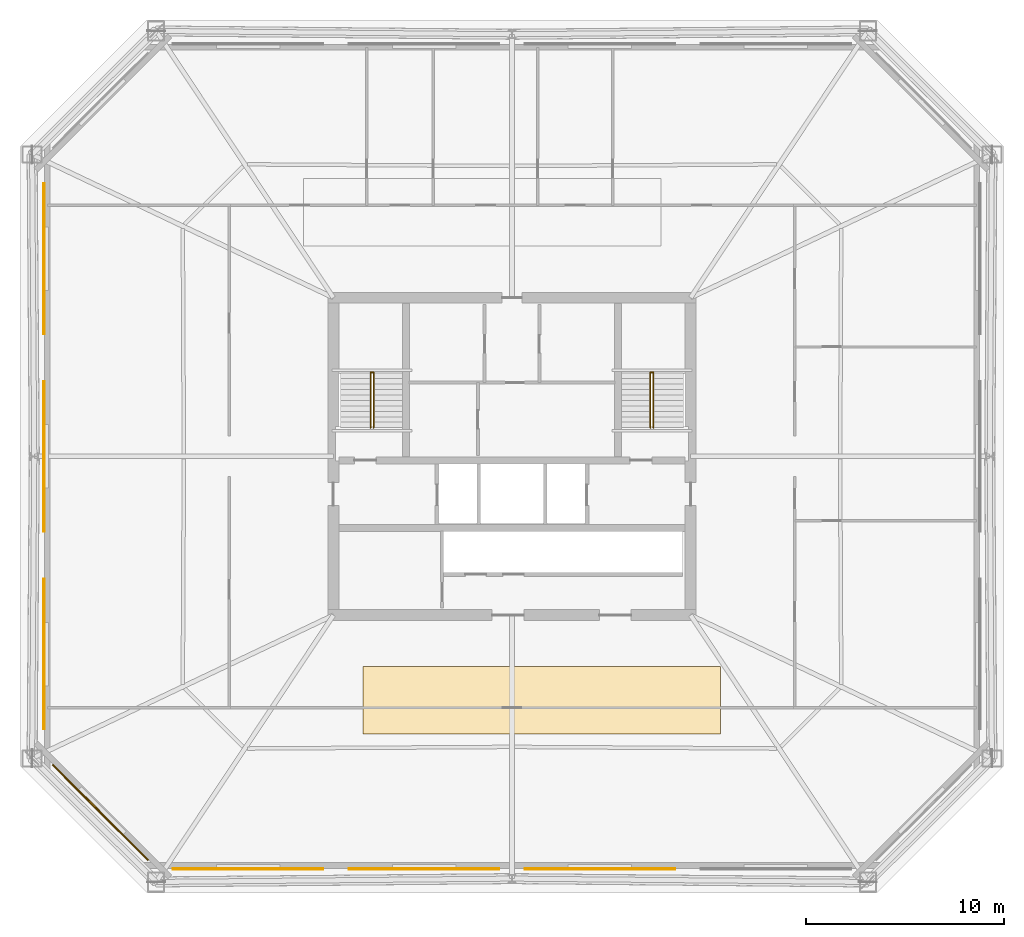
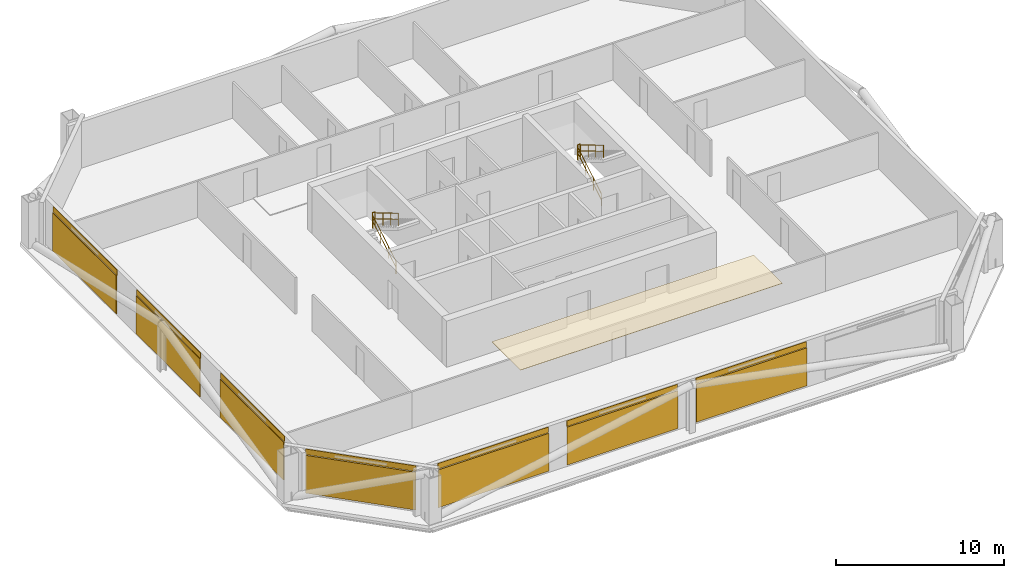
# One storey, part 5 of 6: 8 coverings, 7 shading devices, 6 railings.
"""IFC4 building model written with IfcOpenShell, lengths in metres."""

from ifc_helpers import new_model, si_unit, direction, frame, origin, origin_2d, place, context, subcontext, project, spatial, polyline, rectangle, circle, outline, extrude, material, layer, layer_set, type_object, element, save


model = new_model("IFC4")

# Units and contexts
model_context = context("Model", 3, precision=1e-05, world=origin(), true_north=direction((0.0, 1.0)))
body_context = subcontext(model_context, "Body", "Model", "MODEL_VIEW")
ifc_project = project(units=[si_unit("LENGTHUNIT", "METRE"), si_unit("AREAUNIT", "SQUARE_METRE"), si_unit("VOLUMEUNIT", "CUBIC_METRE"), si_unit("PLANEANGLEUNIT", "RADIAN"), si_unit("MASSUNIT", "GRAM", prefix="KILO")], contexts=[model_context])

# Site, building, storey
site_placement = place(None, origin())
site = spatial("IfcSite", under=ifc_project, at=site_placement, CompositionType="ELEMENT")
building_placement = place(site_placement, origin())
building = spatial("IfcBuilding", under=site, at=building_placement, Name="Caelvoria Tower", CompositionType="ELEMENT")
storey_placement = place(building_placement, frame((0.0, 0.0, 160.0)))
storey = spatial("IfcBuildingStorey", under=building, at=storey_placement, Name="L42", CompositionType="ELEMENT", Elevation=160.0)

# Coverings
ifc_material_1 = material(Name="Acoustic Mineral Fibre Tile", Category="gypsum")
ifc_layer_1 = layer(ifc_material_1, 0.02490234375, Name="Acoustic Mineral Fibre Tile")
ifc_layer_set_1 = layer_set([ifc_layer_1], Name="Mineral-Fibre Acoustic Suspended Ceiling 25 - Acoustic Mineral Fibre Tile")
covering_type_1 = type_object("IfcCoveringType", Name="Mineral-Fibre Acoustic Suspended Ceiling 25", PredefinedType="CEILING", material=ifc_layer_set_1)
covering_1_placement = place(storey_placement, frame((0.0, 0.0, 2.635009765625)))
element("IfcCovering", 1, at=covering_1_placement, inside=storey, type_object=covering_type_1, Name="Suspended Acoustic Ceiling L42", PredefinedType="CEILING", context=body_context, shape_type="SweptSolid", body=[
    extrude(outline(polyline([(38.5, 18.0), (56.5, 18.0), (56.5, 21.39990234375), (38.5, 21.39990234375), (38.5, 18.0)])), origin(), (0.0, 0.0, 1.0), 0.02490234375),
])
ifc_material_2 = material(Name="Perforated Architectural Bronze Cladding Screen", Category="bronze")
ifc_layer_2 = layer(ifc_material_2, 0.0400390625, Name="Perforated Architectural Bronze Cladding Screen")
ifc_layer_set_2 = layer_set([ifc_layer_2], Name="Perforated Bronze Louvre Cladding Band 40 - Perforated Architectural Bronze Cladding Screen")
covering_type_2 = type_object("IfcCoveringType", Name="Perforated Bronze Louvre Cladding Band 40", PredefinedType="CLADDING", material=ifc_layer_set_2)
for number, where, z_axis, x_axis, name in (
    (2, (32.695068359375, 11.22802734375, 2.93994140625), (0.0, 0.0, 1.0), (1.0, 0.0, 0.0), "Perforated Bronze Screen Band L42-E0-00"),
    (3, (41.56494140625, 11.22802734375, 2.93994140625), (0.0, 0.0, 1.0), (1.0, 0.0, 0.0), "Perforated Bronze Screen Band L42-E0-01"),
    (4, (50.43505859375, 11.22802734375, 2.93994140625), (0.0, 0.0, 1.0), (1.0, 0.0, 0.0), "Perforated Bronze Screen Band L42-E0-02"),
    (5, (22.427978515625, 41.9599609375, 2.93994140625), (0.0, 0.0, 1.0), (0.0, -1.0, 0.0), "Perforated Bronze Screen Band L42-E6-00"),
    (6, (22.427978515625, 32.0, 2.93994140625), (0.0, 0.0, 1.0), (0.0, -1.0, 0.0), "Perforated Bronze Screen Band L42-E6-01"),
    (7, (22.427978515625, 22.0400390625, 2.93994140625), (0.0, 0.0, 1.0), (0.0, -1.0, 0.0), "Perforated Bronze Screen Band L42-E6-02"),
):
    element("IfcCovering", number, at=place(storey_placement, frame(where, z_axis=z_axis, x_axis=x_axis)), inside=storey, type_object=covering_type_2, Name=name, PredefinedType="CLADDING", context=body_context, shape_type="SweptSolid", body=[
        extrude(rectangle(XDim=7.60009765625, YDim=0.0400390625, at=origin_2d()), origin(), (0.0, 0.0, 1.0), 0.39990234375),
    ])
covering_2_placement = place(storey_placement, frame((25.268310546875, 14.068359375, 2.93994140625), z_axis=(0.0, 0.0, 1.0), x_axis=(0.707106781187, -0.707106781187, 0.0)))
element("IfcCovering", 8, at=covering_2_placement, inside=storey, type_object=covering_type_2, Name="Perforated Bronze Screen Band L42-E7-00", PredefinedType="CLADDING", context=body_context, shape_type="SweptSolid", body=[
    extrude(rectangle(XDim=6.80322265625, YDim=0.0400390625, at=origin_2d()), origin(), (0.0, 0.0, 1.0), 0.39990234375),
])

# Shading devices
ifc_material_3 = material(Name="Perforated Architectural Bronze Alloy Panel", Category="bronze")
ifc_layer_3 = layer(ifc_material_3, 0.044921875, Name="Perforated Architectural Bronze Alloy Panel")
ifc_layer_set_3 = layer_set([ifc_layer_3], Name="Perforated Bronze Solar Screen Panel SCREEN - Perforated Architectural Bronze Alloy Panel")
shading_device_type = type_object("IfcShadingDeviceType", Name="Perforated Bronze Solar Screen Panel SCREEN", PredefinedType="USERDEFINED", material=ifc_layer_set_3)
for number, where, z_axis, x_axis, name in (
    (9, (32.695068359375, 11.18505859375, 0.159912109375), (0.0, 0.0, 1.0), (1.0, 0.0, 0.0), "Perforated Bronze Solar Screen L42-E0-00"),
    (10, (41.56494140625, 11.18505859375, 0.159912109375), (0.0, 0.0, 1.0), (1.0, 0.0, 0.0), "Perforated Bronze Solar Screen L42-E0-01"),
    (11, (50.43505859375, 11.18505859375, 0.159912109375), (0.0, 0.0, 1.0), (1.0, 0.0, 0.0), "Perforated Bronze Solar Screen L42-E0-02"),
    (12, (22.385009765625, 41.9599609375, 0.159912109375), (0.0, 0.0, 1.0), (0.0, -1.0, 0.0), "Perforated Bronze Solar Screen L42-E6-00"),
    (13, (22.385009765625, 32.0, 0.159912109375), (0.0, 0.0, 1.0), (0.0, -1.0, 0.0), "Perforated Bronze Solar Screen L42-E6-01"),
    (14, (22.385009765625, 22.0400390625, 0.159912109375), (0.0, 0.0, 1.0), (0.0, -1.0, 0.0), "Perforated Bronze Solar Screen L42-E6-02"),
):
    element("IfcShadingDevice", number, at=place(storey_placement, frame(where, z_axis=z_axis, x_axis=x_axis)), inside=storey, type_object=shading_device_type, Name=name, ObjectType="SCREEN", PredefinedType="USERDEFINED", context=body_context, shape_type="SweptSolid", body=[
        extrude(rectangle(XDim=7.60009765625, YDim=0.044921875, at=origin_2d()), origin(), (0.0, 0.0, 1.0), 2.75),
    ])
shading_device_placement = place(storey_placement, frame((25.23779296875, 14.037841796875, 0.159912109375), z_axis=(0.0, 0.0, 1.0), x_axis=(0.707106781187, -0.707106781187, 0.0)))
element("IfcShadingDevice", 15, at=shading_device_placement, inside=storey, type_object=shading_device_type, Name="Perforated Bronze Solar Screen L42-E7-00", ObjectType="SCREEN", PredefinedType="USERDEFINED", context=body_context, shape_type="SweptSolid", body=[
    extrude(rectangle(XDim=6.80322265625, YDim=0.044921875, at=origin_2d()), origin(), (0.0, 0.0, 1.0), 2.75),
])

# Railings
ifc_material_4 = material(Name="Brushed Stainless Steel Tube", Category="steel")
railing_type_1 = type_object("IfcRailingType", Name="Stair Tubular Stainless Handrail 920", PredefinedType="HANDRAIL", material=ifc_material_4)
railing_1_placement = place(storey_placement, frame((38.8701171875, 33.449951171875, 0.16357421875)))
element("IfcRailing", 16, at=railing_1_placement, inside=storey, type_object=railing_type_1, Name="ST-01 Flight 1 Handrail L42", PredefinedType="HANDRAIL", context=body_context, shape_type="SweptSolid", body=[
    extrude(circle(Radius=0.02392578125, at=origin_2d()), frame((0.0, 0.0, 0.89599609375), z_axis=(0.0, 0.859351957796, 0.511384603436), x_axis=(-1.0, 0.0, 0.0)), (0.0, 0.0, 1.0), 3.2001953125),
    extrude(circle(Radius=0.02392578125, at=origin_2d()), frame((0.0, 0.0, 0.4599609375), z_axis=(0.0, 0.859351957796, 0.511384603436), x_axis=(-1.0, 0.0, 0.0)), (0.0, 0.0, 1.0), 3.2001953125),
    extrude(circle(Radius=0.02099609375, at=origin_2d()), origin(), (0.0, 0.0, 1.0), 0.871826171875),
    extrude(circle(Radius=0.02099609375, at=origin_2d()), frame((0.0, 0.916748046875, 0.54541015625)), (0.0, 0.0, 1.0), 0.871826171875),
    extrude(circle(Radius=0.02099609375, at=origin_2d()), frame((0.0, 1.833251953125, 1.091064453125)), (0.0, 0.0, 1.0), 0.871826171875),
    extrude(circle(Radius=0.02099609375, at=origin_2d()), frame((0.0, 2.75, 1.636474609375)), (0.0, 0.0, 1.0), 0.871826171875),
])
railing_2_placement = place(storey_placement, frame((39.030029296875, 36.199951171875, 1.963623046875)))
element("IfcRailing", 17, at=railing_2_placement, inside=storey, type_object=railing_type_1, Name="ST-01 Flight 2 Handrail L42", PredefinedType="HANDRAIL", context=body_context, shape_type="SweptSolid", body=[
    extrude(circle(Radius=0.02392578125, at=origin_2d()), frame((0.0, 0.0, 0.89599609375), z_axis=(0.0, -0.859351957796, 0.511384603436), x_axis=(1.0, 0.0, 0.0)), (0.0, 0.0, 1.0), 3.2001953125),
    extrude(circle(Radius=0.02392578125, at=origin_2d()), frame((0.0, 0.0, 0.4599609375), z_axis=(0.0, -0.859351957796, 0.511384603436), x_axis=(1.0, 0.0, 0.0)), (0.0, 0.0, 1.0), 3.2001953125),
    extrude(circle(Radius=0.02099609375, at=origin_2d()), origin(), (0.0, 0.0, 1.0), 0.871826171875),
    extrude(circle(Radius=0.02099609375, at=origin_2d()), frame((0.0, -0.916748046875, 0.54541015625)), (0.0, 0.0, 1.0), 0.871826171875),
    extrude(circle(Radius=0.02099609375, at=origin_2d()), frame((0.0, -1.833251953125, 1.091064453125)), (0.0, 0.0, 1.0), 0.871826171875),
    extrude(circle(Radius=0.02099609375, at=origin_2d()), frame((0.0, -2.75, 1.636474609375)), (0.0, 0.0, 1.0), 0.871826171875),
])
railing_3_placement = place(storey_placement, frame((52.969970703125, 33.449951171875, 0.16357421875)))
element("IfcRailing", 18, at=railing_3_placement, inside=storey, type_object=railing_type_1, Name="ST-02 Flight 1 Handrail L42", PredefinedType="HANDRAIL", context=body_context, shape_type="SweptSolid", body=[
    extrude(circle(Radius=0.02392578125, at=origin_2d()), frame((0.0, 0.0, 0.89599609375), z_axis=(0.0, 0.859351957796, 0.511384603436), x_axis=(-1.0, 0.0, 0.0)), (0.0, 0.0, 1.0), 3.2001953125),
    extrude(circle(Radius=0.02392578125, at=origin_2d()), frame((0.0, 0.0, 0.4599609375), z_axis=(0.0, 0.859351957796, 0.511384603436), x_axis=(-1.0, 0.0, 0.0)), (0.0, 0.0, 1.0), 3.2001953125),
    extrude(circle(Radius=0.02099609375, at=origin_2d()), origin(), (0.0, 0.0, 1.0), 0.871826171875),
    extrude(circle(Radius=0.02099609375, at=origin_2d()), frame((0.0, 0.916748046875, 0.54541015625)), (0.0, 0.0, 1.0), 0.871826171875),
    extrude(circle(Radius=0.02099609375, at=origin_2d()), frame((0.0, 1.833251953125, 1.091064453125)), (0.0, 0.0, 1.0), 0.871826171875),
    extrude(circle(Radius=0.02099609375, at=origin_2d()), frame((0.0, 2.75, 1.636474609375)), (0.0, 0.0, 1.0), 0.871826171875),
])
railing_4_placement = place(storey_placement, frame((53.1298828125, 36.199951171875, 1.963623046875)))
element("IfcRailing", 19, at=railing_4_placement, inside=storey, type_object=railing_type_1, Name="ST-02 Flight 2 Handrail L42", PredefinedType="HANDRAIL", context=body_context, shape_type="SweptSolid", body=[
    extrude(circle(Radius=0.02392578125, at=origin_2d()), frame((0.0, 0.0, 0.89599609375), z_axis=(0.0, -0.859351957796, 0.511384603436), x_axis=(1.0, 0.0, 0.0)), (0.0, 0.0, 1.0), 3.2001953125),
    extrude(circle(Radius=0.02392578125, at=origin_2d()), frame((0.0, 0.0, 0.4599609375), z_axis=(0.0, -0.859351957796, 0.511384603436), x_axis=(1.0, 0.0, 0.0)), (0.0, 0.0, 1.0), 3.2001953125),
    extrude(circle(Radius=0.02099609375, at=origin_2d()), origin(), (0.0, 0.0, 1.0), 0.871826171875),
    extrude(circle(Radius=0.02099609375, at=origin_2d()), frame((0.0, -0.916748046875, 0.54541015625)), (0.0, 0.0, 1.0), 0.871826171875),
    extrude(circle(Radius=0.02099609375, at=origin_2d()), frame((0.0, -1.833251953125, 1.091064453125)), (0.0, 0.0, 1.0), 0.871826171875),
    extrude(circle(Radius=0.02099609375, at=origin_2d()), frame((0.0, -2.75, 1.636474609375)), (0.0, 0.0, 1.0), 0.871826171875),
])
ifc_material_5 = material(Name="Brushed Stainless Steel Guardrail", Category="steel")
railing_type_2 = type_object("IfcRailingType", Name="Stair Well and Ramp Guardrail 1120", PredefinedType="GUARDRAIL", material=ifc_material_5)
for number, where, name in (
    (20, (38.8701171875, 36.239990234375, 1.800048828125), "ST-01 Half-Landing Well Guard L42"),
    (21, (52.969970703125, 36.239990234375, 1.800048828125), "ST-02 Half-Landing Well Guard L42"),
):
    element("IfcRailing", number, at=place(storey_placement, frame(where)), inside=storey, type_object=railing_type_2, Name=name, PredefinedType="GUARDRAIL", context=body_context, shape_type="SweptSolid", body=[
        extrude(circle(Radius=0.02392578125, at=origin_2d()), frame((0.0, 0.0, 1.09619140625), z_axis=(1.0, 0.0, 0.0), x_axis=(0.0, 1.0, 0.0)), (0.0, 0.0, 1.0), 0.159912109375),
        extrude(circle(Radius=0.02392578125, at=origin_2d()), frame((0.0, 0.0, 0.56005859375), z_axis=(1.0, 0.0, 0.0), x_axis=(0.0, 1.0, 0.0)), (0.0, 0.0, 1.0), 0.159912109375),
        extrude(circle(Radius=0.02099609375, at=origin_2d()), origin(), (0.0, 0.0, 1.0), 1.072021484375),
        extrude(circle(Radius=0.02099609375, at=origin_2d()), frame((0.159912109375, 0.0, 0.0)), (0.0, 0.0, 1.0), 1.072021484375),
    ])

save(model, "model.ifc")
